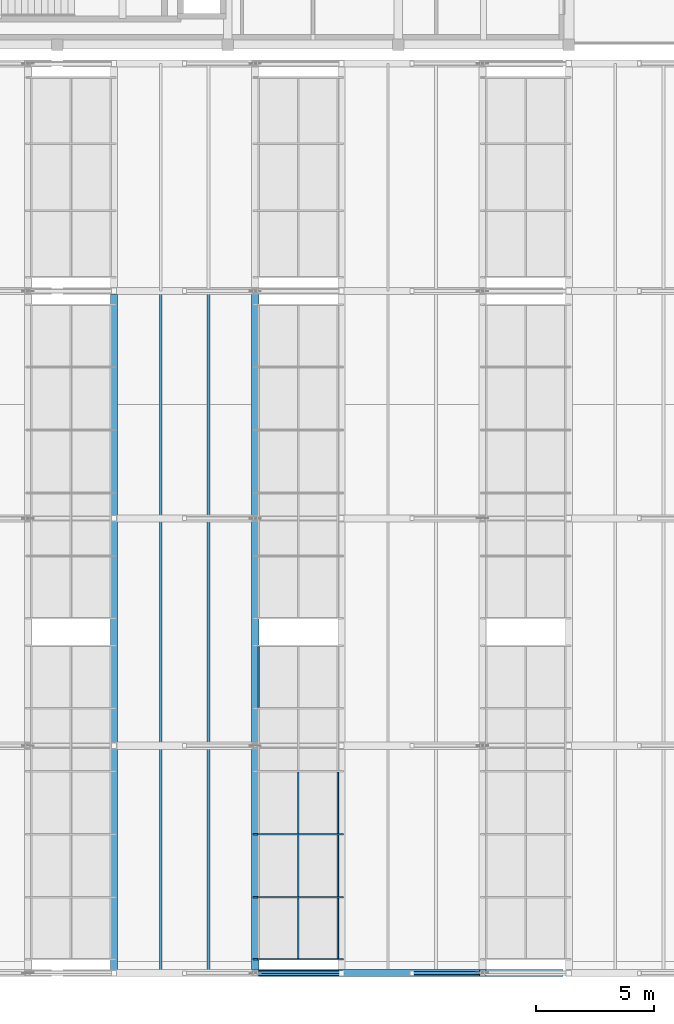
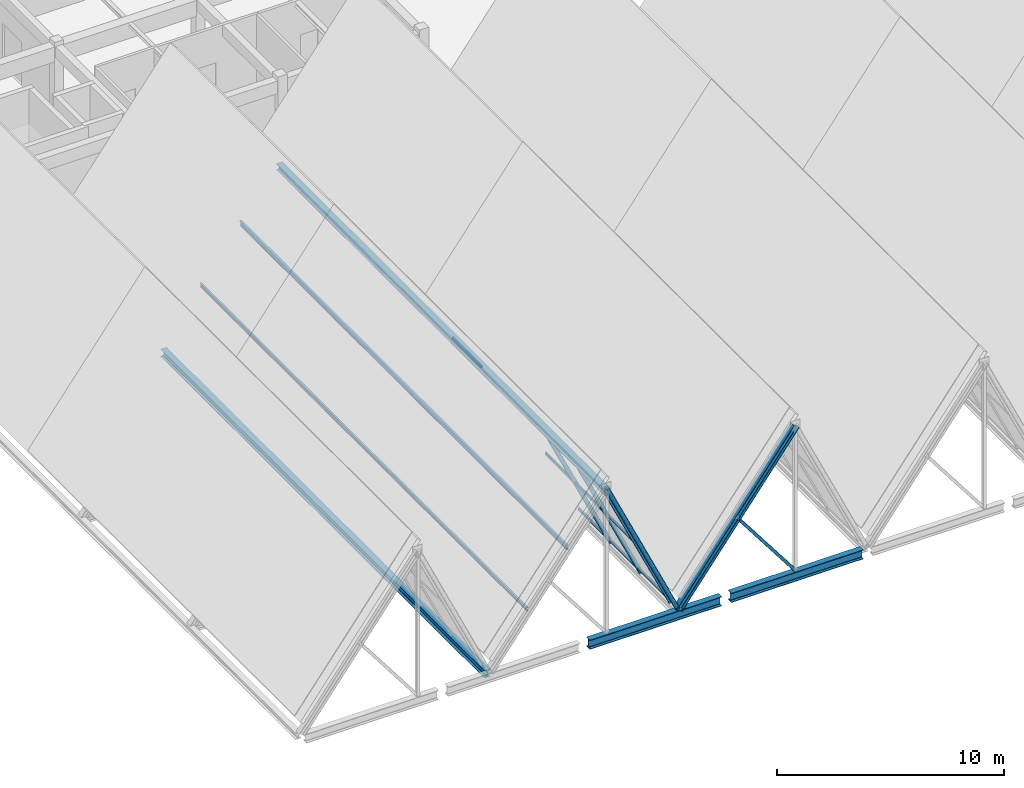
# One storey, part 9 of 99: 15 members, 4 beams, 1 element without a shape of its own.
"""IFC4 building model written with IfcOpenShell, lengths in metres."""

from ifc_helpers import new_model, si_unit, direction, frame, origin, origin_2d, place, context, subcontext, project, spatial, hollow_rectangle, hollow_circle, i_section, extrude, material, material_profile, profile_set, type_object, element, aggregate, save


model = new_model("IFC4")

# Units and contexts
model_context = context("Model", 3, precision=1e-05, world=origin(), true_north=direction((0.0, 1.0)))
body_context = subcontext(model_context, "Body", "Model", "MODEL_VIEW")
ifc_project = project(units=[si_unit("LENGTHUNIT", "METRE"), si_unit("AREAUNIT", "SQUARE_METRE"), si_unit("VOLUMEUNIT", "CUBIC_METRE"), si_unit("PLANEANGLEUNIT", "RADIAN"), si_unit("MASSUNIT", "GRAM", prefix="KILO")], contexts=[model_context])

# Site, building, storey
site_placement = place(None, origin())
site = spatial("IfcSite", under=ifc_project, at=site_placement, CompositionType="ELEMENT")
building_placement = place(site_placement, origin())
building = spatial("IfcBuilding", under=site, at=building_placement, Name="Bramveld Media Centre", CompositionType="ELEMENT")
storey_placement = place(building_placement, frame((0.0, 0.0, 13.800048828125)))
storey = spatial("IfcBuildingStorey", under=building, at=storey_placement, Name="L03", CompositionType="ELEMENT", Elevation=13.800048828125)

# Curtain wall, members
ifc_material_1 = material(Name="Thermally broken anodized bronze aluminium unitized curtain wall with solar-control triple glazing", Category="aluminium")
curtain_wall_type = type_object("IfcCurtainWallType", Name="CW-SAW-13300x8606", PredefinedType="NOTDEFINED", material=ifc_material_1)
curtain_wall_placement = place(storey_placement, origin())
curtain_wall = element("IfcCurtainWall", 1, at=curtain_wall_placement, inside=storey, type_object=curtain_wall_type, Name="V2 sawtooth north-light clerestory B2-S1", PredefinedType="NOTDEFINED")
ifc_material_2 = material(Name="Thermally broken anodized bronze aluminium EN AW-6063 T6 curtain-wall framing", Category="aluminium")
ifc_material_profile_1 = material_profile(ifc_material_2, hollow_rectangle(XDim=0.070068359375, YDim=0.199951171875, WallThickness=0.00439453125, InnerFilletRadius=0.00439453125, OuterFilletRadius=0.009033203125, at=origin_2d()), Name="AL-MULL 70x200")
ifc_profile_set_1 = profile_set([ifc_material_profile_1], Name="Thermally broken anodized bronze aluminium EN AW-6063 T6 curtain-wall framing")
member_type_1 = type_object("IfcMemberType", Name="CW-MULL-SLP", PredefinedType="MULLION", material=ifc_profile_set_1)
member_1_placement = place(storey_placement, frame((19.199951171875, 0.5849609375, -0.02001953125), z_axis=(-0.423956992265, 0.0, 0.90568232218), x_axis=(0.0, -1.0, 0.0)))
member_1 = element("IfcMember", 2, at=member_1_placement, type_object=member_type_1, Name="CW-SA-13386 sloped mullion 1", PredefinedType="MULLION", context=body_context, shape_type="SweptSolid", body=[
    extrude(hollow_rectangle(XDim=0.070068359375, YDim=0.199951171875, WallThickness=0.00439453125, InnerFilletRadius=0.00439453125, OuterFilletRadius=0.009033203125, at=origin_2d()), origin(), (0.0, 0.0, 1.0), 8.5791015625),
])
member_2_placement = place(storey_placement, frame((19.199951171875, 3.2099609375, -0.02001953125), z_axis=(-0.423956992265, 0.0, 0.90568232218), x_axis=(0.0, -1.0, 0.0)))
member_2 = element("IfcMember", 3, at=member_2_placement, type_object=member_type_1, Name="CW-SA-13386 sloped mullion 2", PredefinedType="MULLION", context=body_context, shape_type="SweptSolid", body=[
    extrude(hollow_rectangle(XDim=0.070068359375, YDim=0.199951171875, WallThickness=0.00439453125, InnerFilletRadius=0.00439453125, OuterFilletRadius=0.009033203125, at=origin_2d()), origin(), (0.0, 0.0, 1.0), 8.5791015625),
])
member_3_placement = place(storey_placement, frame((19.199951171875, 5.8701171875, -0.02001953125), z_axis=(-0.423956992265, 0.0, 0.90568232218), x_axis=(0.0, -1.0, 0.0)))
member_3 = element("IfcMember", 4, at=member_3_placement, type_object=member_type_1, Name="CW-SA-13386 sloped mullion 3", PredefinedType="MULLION", context=body_context, shape_type="SweptSolid", body=[
    extrude(hollow_rectangle(XDim=0.070068359375, YDim=0.199951171875, WallThickness=0.00439453125, InnerFilletRadius=0.00439453125, OuterFilletRadius=0.009033203125, at=origin_2d()), origin(), (0.0, 0.0, 1.0), 8.5791015625),
])
ifc_material_3 = material(Name="Thermally broken anodized bronze aluminium EN AW-6063 T6 curtain-wall framing", Category="aluminium")
ifc_material_profile_2 = material_profile(ifc_material_3, hollow_rectangle(XDim=0.070068359375, YDim=0.14990234375, WallThickness=0.00390625, InnerFilletRadius=0.00390625, OuterFilletRadius=0.008056640625, at=origin_2d()), Name="AL-TRAN 70x150")
ifc_profile_set_2 = profile_set([ifc_material_profile_2], Name="Thermally broken anodized bronze aluminium EN AW-6063 T6 curtain-wall framing")
member_type_2 = type_object("IfcMemberType", Name="CW-TRAN-SLP", PredefinedType="USERDEFINED", material=ifc_profile_set_2)
member_4_placement = place(storey_placement, frame((19.054443359375, 0.6201171875, 0.290771484375), z_axis=(0.0, 1.0, 0.0), x_axis=(-1.0, 0.0, 0.0)))
member_4 = element("IfcMember", 5, at=member_4_placement, type_object=member_type_2, Name="CW-SA-13386 transom 1.1", ObjectType="TRANSOM", PredefinedType="USERDEFINED", context=body_context, shape_type="SweptSolid", body=[
    extrude(hollow_rectangle(XDim=0.070068359375, YDim=0.14990234375, WallThickness=0.00390625, InnerFilletRadius=0.00390625, OuterFilletRadius=0.008056640625, at=origin_2d()), origin(), (0.0, 0.0, 1.0), 2.554931640625),
])
member_5_placement = place(storey_placement, frame((17.38134765625, 0.6201171875, 3.864990234375), z_axis=(0.0, 1.0, 0.0), x_axis=(-1.0, 0.0, 0.0)))
member_5 = element("IfcMember", 6, at=member_5_placement, type_object=member_type_2, Name="CW-SA-13386 transom 1.2", ObjectType="TRANSOM", PredefinedType="USERDEFINED", context=body_context, shape_type="SweptSolid", body=[
    extrude(hollow_rectangle(XDim=0.070068359375, YDim=0.14990234375, WallThickness=0.00390625, InnerFilletRadius=0.00390625, OuterFilletRadius=0.008056640625, at=origin_2d()), origin(), (0.0, 0.0, 1.0), 2.554931640625),
])
member_6_placement = place(storey_placement, frame((19.054443359375, 3.2451171875, 0.290771484375), z_axis=(0.0, 1.0, 0.0), x_axis=(-1.0, 0.0, 0.0)))
member_6 = element("IfcMember", 7, at=member_6_placement, type_object=member_type_2, Name="CW-SA-13386 transom 2.1", ObjectType="TRANSOM", PredefinedType="USERDEFINED", context=body_context, shape_type="SweptSolid", body=[
    extrude(hollow_rectangle(XDim=0.070068359375, YDim=0.14990234375, WallThickness=0.00390625, InnerFilletRadius=0.00390625, OuterFilletRadius=0.008056640625, at=origin_2d()), origin(), (0.0, 0.0, 1.0), 2.58984375),
])
member_7_placement = place(storey_placement, frame((17.38134765625, 3.2451171875, 3.864990234375), z_axis=(0.0, 1.0, 0.0), x_axis=(-1.0, 0.0, 0.0)))
member_7 = element("IfcMember", 8, at=member_7_placement, type_object=member_type_2, Name="CW-SA-13386 transom 2.2", ObjectType="TRANSOM", PredefinedType="USERDEFINED", context=body_context, shape_type="SweptSolid", body=[
    extrude(hollow_rectangle(XDim=0.070068359375, YDim=0.14990234375, WallThickness=0.00390625, InnerFilletRadius=0.00390625, OuterFilletRadius=0.008056640625, at=origin_2d()), origin(), (0.0, 0.0, 1.0), 2.58984375),
])
member_8_placement = place(storey_placement, frame((19.054443359375, 5.905029296875, 0.290771484375), z_axis=(0.0, 1.0, 0.0), x_axis=(-1.0, 0.0, 0.0)))
member_8 = element("IfcMember", 9, at=member_8_placement, type_object=member_type_2, Name="CW-SA-13386 transom 3.1", ObjectType="TRANSOM", PredefinedType="USERDEFINED", context=body_context, shape_type="SweptSolid", body=[
    extrude(hollow_rectangle(XDim=0.070068359375, YDim=0.14990234375, WallThickness=0.00390625, InnerFilletRadius=0.00390625, OuterFilletRadius=0.008056640625, at=origin_2d()), origin(), (0.0, 0.0, 1.0), 2.590087890625),
])
member_9_placement = place(storey_placement, frame((17.38134765625, 5.905029296875, 3.864990234375), z_axis=(0.0, 1.0, 0.0), x_axis=(-1.0, 0.0, 0.0)))
member_9 = element("IfcMember", 10, at=member_9_placement, type_object=member_type_2, Name="CW-SA-13386 transom 3.2", ObjectType="TRANSOM", PredefinedType="USERDEFINED", context=body_context, shape_type="SweptSolid", body=[
    extrude(hollow_rectangle(XDim=0.070068359375, YDim=0.14990234375, WallThickness=0.00390625, InnerFilletRadius=0.00390625, OuterFilletRadius=0.008056640625, at=origin_2d()), origin(), (0.0, 0.0, 1.0), 2.590087890625),
])
member_10_placement = place(storey_placement, frame((15.708251953125, 11.22509765625, 7.439208984375), z_axis=(0.0, 1.0, 0.0), x_axis=(-1.0, 0.0, 0.0)))
member_10 = element("IfcMember", 11, at=member_10_placement, type_object=member_type_2, Name="CW-SA-13386 transom 5.3", ObjectType="TRANSOM", PredefinedType="USERDEFINED", context=body_context, shape_type="SweptSolid", body=[
    extrude(hollow_rectangle(XDim=0.070068359375, YDim=0.14990234375, WallThickness=0.00390625, InnerFilletRadius=0.00390625, OuterFilletRadius=0.008056640625, at=origin_2d()), origin(), (0.0, 0.0, 1.0), 2.554931640625),
])
aggregate(curtain_wall, [member_1, member_2, member_3, member_4, member_5, member_6, member_7, member_8, member_9, member_10])

# Members
ifc_material_4 = material(Name="Steel S355J2H", Category="steel")
ifc_material_profile_3 = material_profile(ifc_material_4, hollow_circle(Radius=0.109619140625, WallThickness=0.012451171875, at=origin_2d()), Name="CHS 219.1x12.5")
ifc_profile_set_3 = profile_set([ifc_material_profile_3], Name="Steel S355J2H")
member_type_3 = type_object("IfcMemberType", Name="MEM-BRACE-CHS219", PredefinedType="BRACE", material=ifc_profile_set_3)
member_11_placement = place(storey_placement, frame((19.199951171875, 0.0, 0.0), z_axis=(-0.422616785161, 0.0, 0.906308475575), x_axis=(0.0, -1.0, 0.0)))
element("IfcMember", 12, at=member_11_placement, inside=storey, type_object=member_type_3, Name="TRUSS-V2-B02-F1 north-light strut", PredefinedType="BRACE", context=body_context, shape_type="SweptSolid", body=[
    extrude(hollow_circle(Radius=0.109619140625, WallThickness=0.012451171875, at=origin_2d()), origin(), (0.0, 0.0, 1.0), 8.6064453125),
])
ifc_material_5 = material(Name="Steel S355J2H", Category="steel")
ifc_material_profile_4 = material_profile(ifc_material_5, hollow_rectangle(XDim=0.14990234375, YDim=0.14990234375, WallThickness=0.010009765625, InnerFilletRadius=0.010009765625, OuterFilletRadius=0.02001953125, at=origin_2d()), Name="SHS 150x150x10")
ifc_profile_set_4 = profile_set([ifc_material_profile_4], Name="Steel S355J2H")
member_type_4 = type_object("IfcMemberType", Name="MEM-BRACE-SHS150", PredefinedType="BRACE", material=ifc_profile_set_4)
member_12_placement = place(storey_placement, frame((25.162841796875, 0.0, 0.0), z_axis=(-0.607343034298, 0.0, 0.794439701104), x_axis=(0.0, -1.0, 0.0)))
element("IfcMember", 13, at=member_12_placement, inside=storey, type_object=member_type_4, Name="TRUSS-V2-B03-F1 web diagonal", PredefinedType="BRACE", context=body_context, shape_type="SweptSolid", body=[
    extrude(hollow_rectangle(XDim=0.14990234375, YDim=0.14990234375, WallThickness=0.010009765625, InnerFilletRadius=0.010009765625, OuterFilletRadius=0.02001953125, at=origin_2d()), origin(), (0.0, 0.0, 1.0), 4.908935546875),
])
ifc_material_6 = material(Name="Steel S355J2", Category="steel")
ifc_material_profile_5 = material_profile(ifc_material_6, i_section(OverallWidth=0.300048828125, OverallDepth=0.340087890625, WebThickness=0.011962890625, FlangeThickness=0.021484375, FilletRadius=0.027099609375, at=origin_2d()), Name="HEB 340")
ifc_profile_set_5 = profile_set([ifc_material_profile_5], Name="Steel S355J2")
member_type_5 = type_object("IfcMemberType", Name="MEM-CHORD-HEB340", PredefinedType="CHORD", material=ifc_profile_set_5)
member_13_placement = place(storey_placement, frame((19.199951171875, 0.0, 0.0), z_axis=(0.607331036372, 0.0, 0.794448873282), x_axis=(0.0, 1.0, 0.0)))
element("IfcMember", 14, at=member_13_placement, inside=storey, type_object=member_type_5, Name="TRUSS-V2-B03-F1 top rafter chord", PredefinedType="CHORD", context=body_context, shape_type="SweptSolid", body=[
    extrude(i_section(OverallWidth=0.300048828125, OverallDepth=0.340087890625, WebThickness=0.011962890625, FlangeThickness=0.021484375, FilletRadius=0.027099609375, at=origin_2d()), origin(), (0.0, 0.0, 1.0), 9.818115234375),
])
ifc_material_7 = material(Name="Steel S355J2", Category="steel")
ifc_material_profile_6 = material_profile(ifc_material_7, i_section(OverallWidth=0.10009765625, OverallDepth=0.199951171875, WebThickness=0.005615234375, FlangeThickness=0.008544921875, FilletRadius=0.011962890625, at=origin_2d()), Name="IPE 200")
ifc_profile_set_6 = profile_set([ifc_material_profile_6], Name="Steel S355J2")
member_type_6 = type_object("IfcMemberType", Name="MEM-PURLIN-IPE200", PredefinedType="PURLIN", material=ifc_profile_set_6)
member_14_placement = place(storey_placement, frame((11.567626953125, 0.0, 2.650146484375), z_axis=(0.0, 1.0, 0.0), x_axis=(-1.0, 0.0, 0.0)))
element("IfcMember", 15, at=member_14_placement, inside=storey, type_object=member_type_6, Name="V2 roof purlin", PredefinedType="PURLIN", context=body_context, shape_type="SweptSolid", body=[
    extrude(i_section(OverallWidth=0.10009765625, OverallDepth=0.199951171875, WebThickness=0.005615234375, FlangeThickness=0.008544921875, FilletRadius=0.011962890625, at=origin_2d()), origin(), (0.0, 0.0, 1.0), 28.800048828125),
])
ifc_material_8 = material(Name="Steel S355J2", Category="steel")
ifc_material_profile_7 = material_profile(ifc_material_8, i_section(OverallWidth=0.1201171875, OverallDepth=0.239990234375, WebThickness=0.006103515625, FlangeThickness=0.009765625, FilletRadius=0.014892578125, at=origin_2d()), Name="IPE 240")
ifc_profile_set_7 = profile_set([ifc_material_profile_7], Name="Steel S355J2")
member_type_7 = type_object("IfcMemberType", Name="MEM-PURLIN-IPE240", PredefinedType="PURLIN", material=ifc_profile_set_7)
member_15_placement = place(storey_placement, frame((13.59521484375, 0.0, 5.26904296875), z_axis=(0.0, 1.0, 0.0), x_axis=(-1.0, 0.0, 0.0)))
element("IfcMember", 16, at=member_15_placement, inside=storey, type_object=member_type_7, Name="V2 roof purlin", PredefinedType="PURLIN", context=body_context, shape_type="SweptSolid", body=[
    extrude(i_section(OverallWidth=0.1201171875, OverallDepth=0.239990234375, WebThickness=0.006103515625, FlangeThickness=0.009765625, FilletRadius=0.014892578125, at=origin_2d()), origin(), (0.0, 0.0, 1.0), 28.800048828125),
])

# Beams
ifc_material_9 = material(Name="Steel S355J2", Category="steel")
ifc_material_profile_8 = material_profile(ifc_material_9, i_section(OverallWidth=0.300048828125, OverallDepth=0.5, WebThickness=0.014404296875, FlangeThickness=0.028076171875, FilletRadius=0.027099609375, at=origin_2d()), Name="HEB 500")
ifc_profile_set_8 = profile_set([ifc_material_profile_8], Name="Steel S355J2")
beam_type_1 = type_object("IfcBeamType", Name="SBM-EXT-HEB-500", PredefinedType="BEAM", material=ifc_profile_set_8)
beam_1_placement = place(storey_placement, frame((14.64990234375, 0.0, -0.25), z_axis=(1.0, 0.0, 0.0), x_axis=(0.0, 1.0, 0.0)))
element("IfcBeam", 17, at=beam_1_placement, inside=storey, type_object=beam_type_1, Name="V2 sawtooth tie girder", PredefinedType="BEAM", context=body_context, shape_type="SweptSolid", body=[
    extrude(i_section(OverallWidth=0.300048828125, OverallDepth=0.5, WebThickness=0.014404296875, FlangeThickness=0.028076171875, FilletRadius=0.027099609375, at=origin_2d()), origin(), (0.0, 0.0, 1.0), 6.7001953125),
])
beam_2_placement = place(storey_placement, frame((21.85009765625, 0.0, -0.25), z_axis=(1.0, 0.0, 0.0), x_axis=(0.0, 1.0, 0.0)))
element("IfcBeam", 18, at=beam_2_placement, inside=storey, type_object=beam_type_1, Name="V2 sawtooth tie girder", PredefinedType="BEAM", context=body_context, shape_type="SweptSolid", body=[
    extrude(i_section(OverallWidth=0.300048828125, OverallDepth=0.5, WebThickness=0.014404296875, FlangeThickness=0.028076171875, FilletRadius=0.027099609375, at=origin_2d()), origin(), (0.0, 0.0, 1.0), 6.699951171875),
])
ifc_material_10 = material(Name="Steel S355J2", Category="steel")
ifc_material_profile_9 = material_profile(ifc_material_10, i_section(OverallWidth=0.300048828125, OverallDepth=0.330078125, WebThickness=0.009521484375, FlangeThickness=0.0166015625, FilletRadius=0.027099609375, at=origin_2d()), Name="HEA 340")
ifc_profile_set_9 = profile_set([ifc_material_profile_9], Name="Steel S355J2")
beam_type_2 = type_object("IfcBeamType", Name="SBM-INT-HEA-340", PredefinedType="BEAM", material=ifc_profile_set_9)
beam_3_placement = place(storey_placement, frame((15.562744140625, 0.0, 7.635009765625), z_axis=(0.0, 1.0, 0.0), x_axis=(-1.0, 0.0, 0.0)))
element("IfcBeam", 19, at=beam_3_placement, inside=storey, type_object=beam_type_2, Name="V2 ridge spine beam", PredefinedType="BEAM", context=body_context, shape_type="SweptSolid", body=[
    extrude(i_section(OverallWidth=0.300048828125, OverallDepth=0.330078125, WebThickness=0.009521484375, FlangeThickness=0.0166015625, FilletRadius=0.027099609375, at=origin_2d()), origin(), (0.0, 0.0, 1.0), 28.800048828125),
])
ifc_material_11 = material(Name="Steel S355J2", Category="steel")
ifc_material_profile_10 = material_profile(ifc_material_11, i_section(OverallWidth=0.300048828125, OverallDepth=0.39990234375, WebThickness=0.013427734375, FlangeThickness=0.02392578125, FilletRadius=0.027099609375, at=origin_2d()), Name="HEB 400")
ifc_profile_set_10 = profile_set([ifc_material_profile_10], Name="Steel S355J2")
beam_type_3 = type_object("IfcBeamType", Name="SBM-INT-HEB-400", PredefinedType="BEAM", material=ifc_profile_set_10)
beam_4_placement = place(storey_placement, frame((9.60009765625, 0.139892578125, -0.199951171875), z_axis=(0.0, 1.0, 0.0), x_axis=(-1.0, 0.0, 0.0)))
element("IfcBeam", 20, at=beam_4_placement, inside=storey, type_object=beam_type_3, Name="V2 valley spine girder 1", PredefinedType="BEAM", context=body_context, shape_type="SweptSolid", body=[
    extrude(i_section(OverallWidth=0.300048828125, OverallDepth=0.39990234375, WebThickness=0.013427734375, FlangeThickness=0.02392578125, FilletRadius=0.027099609375, at=origin_2d()), origin(), (0.0, 0.0, 1.0), 28.52001953125),
])

save(model, "model.ifc")
